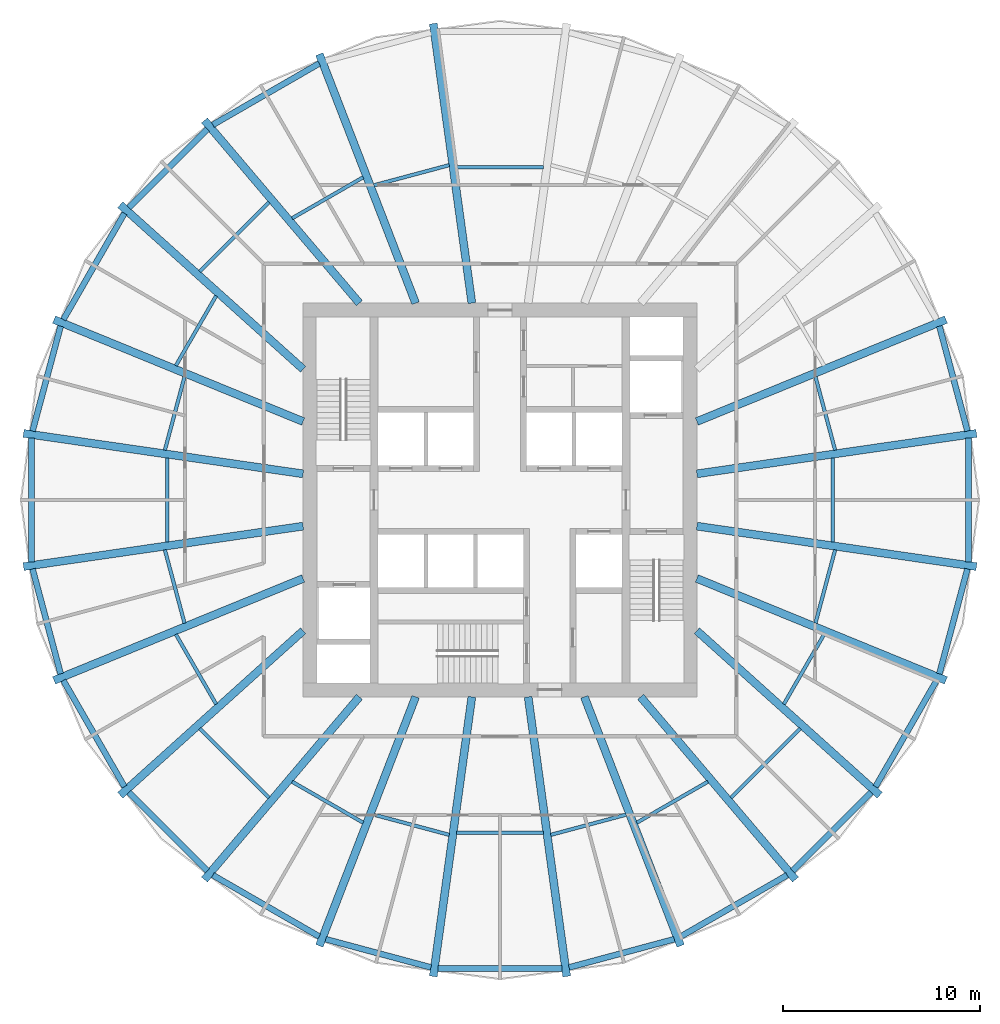
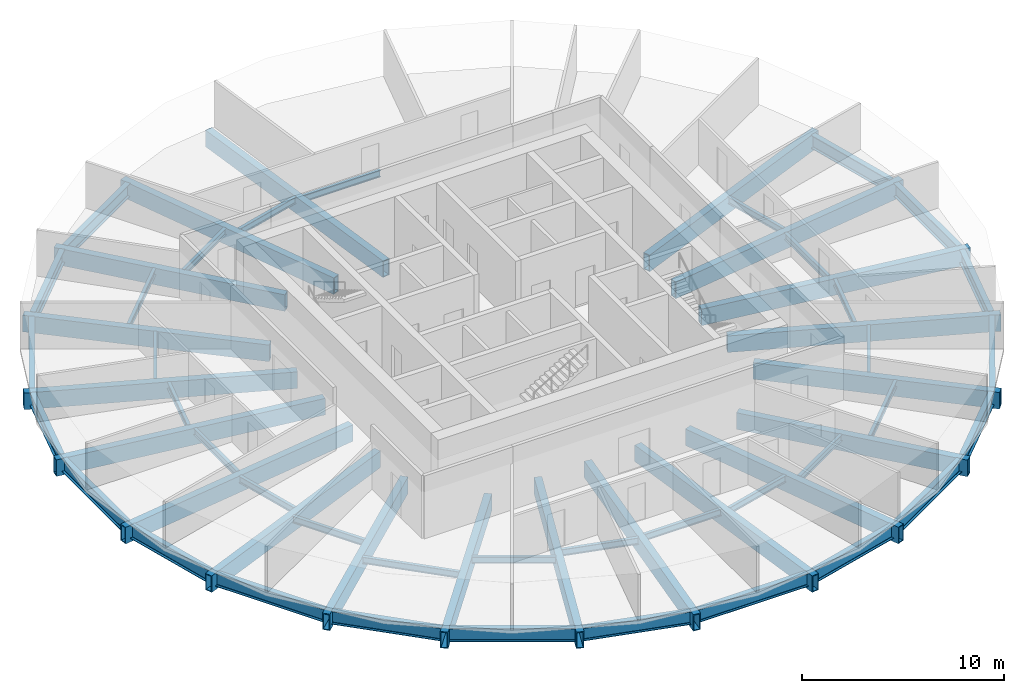
# One storey, part 1 of 6: 58 beams.
"""IFC4 building model written with IfcOpenShell, lengths in metres."""

import ifcopenshell
import ifcopenshell.guid

model = None  # the IFC model being written
_history = None  # IfcOwnerHistory: only IFC2X3 demands one
_inside = {}  # id of a spatial element -> (the spatial element, [elements in it])
_under = {}  # id of a project, library or spatial element -> (it, [spatial elements below it])
_declared = {}  # id of a project -> (the project, [libraries it declares])
_typed = {}  # id of a type object -> (the type object, [elements of that type])
_made_of = {}  # id of a material, layer set ... -> (it, [elements and type objects made of it])


def new_model(schema):
    """Start an empty IFC model of exactly this schema.

    Asked for "IFC4X3", IfcOpenShell would pick the latest addendum, in which some entities
    have other attributes; the version numbers below select the first issue.
    IFC2X3 requires an IfcOwnerHistory on every rooted entity: one is made here for all.
    """
    global model, _history
    if schema == "IFC4X3":
        model = ifcopenshell.file(schema_version=(4, 3, 0, 0))
    else:
        model = ifcopenshell.file(schema=schema)
    _inside.clear()
    _under.clear()
    _declared.clear()
    _typed.clear()
    _made_of.clear()
    _history = None
    if model.schema == "IFC2X3":
        org = make("IfcOrganization", Name="unknown")
        user = make(
            "IfcPersonAndOrganization",
            ThePerson=make("IfcPerson", FamilyName="unknown"),
            TheOrganization=org,
        )
        app = make(
            "IfcApplication",
            ApplicationDeveloper=org,
            Version="unknown",
            ApplicationFullName="unknown",
            ApplicationIdentifier="unknown",
        )
        _history = make(
            "IfcOwnerHistory",
            OwningUser=user,
            OwningApplication=app,
            ChangeAction="ADDED",
            CreationDate=0,
        )
    return model


def make(cls, **values):
    """One entity of the class cls with the attributes given. An attribute that is None is left unset."""
    return model.create_entity(
        cls, **{name: value for name, value in values.items() if value is not None}
    )


def rooted(cls, **values):
    """An entity with a GlobalId (a new one), such as an element, a storey or a relation."""
    return make(cls, GlobalId=ifcopenshell.guid.new(), OwnerHistory=_history, **values)


def si_unit(unit_type, name, prefix=None):
    """IfcSIUnit, for example si_unit("LENGTHUNIT", "METRE", prefix="MILLI")."""
    return make("IfcSIUnit", UnitType=unit_type, Prefix=prefix, Name=name)


def assignment(units):
    """IfcUnitAssignment: the units of a project."""
    return None if units is None else make("IfcUnitAssignment", Units=units)


def point(xyz):
    """IfcCartesianPoint."""
    return None if xyz is None else make("IfcCartesianPoint", Coordinates=xyz)


def direction(xyz):
    """IfcDirection."""
    return None if xyz is None else make("IfcDirection", DirectionRatios=xyz)


def frame(location, z_axis=None, x_axis=None):
    """IfcAxis2Placement3D, a coordinate frame: its origin and axes. An axis left out is left unset."""
    return make(
        "IfcAxis2Placement3D",
        Location=point(location),
        Axis=direction(z_axis),
        RefDirection=direction(x_axis),
    )


def frame_2d(location, x_axis=None):
    """IfcAxis2Placement2D, a coordinate frame in the plane: its origin and x axis."""
    return make(
        "IfcAxis2Placement2D", Location=point(location), RefDirection=direction(x_axis)
    )


def origin():
    """The frame at (0, 0, 0) with its axes left unset."""
    return frame((0.0, 0.0, 0.0))


def origin_2d():
    """The frame at (0, 0) in the plane with its x axis left unset."""
    return frame_2d((0.0, 0.0))


def place(relative_to, where):
    """IfcLocalPlacement: puts the frame where relative to a parent placement (None: the world)."""
    return make(
        "IfcLocalPlacement", PlacementRelTo=relative_to, RelativePlacement=where
    )


def context(
    kind, dimensions, precision=None, world=None, true_north=None, identifier=None
):
    """IfcGeometricRepresentationContext, for example the 3D "Model" context."""
    return make(
        "IfcGeometricRepresentationContext",
        ContextIdentifier=identifier,
        ContextType=kind,
        CoordinateSpaceDimension=dimensions,
        Precision=precision,
        WorldCoordinateSystem=world,
        TrueNorth=true_north,
    )


def subcontext(parent, identifier, kind, view, scale=None):
    """IfcGeometricRepresentationSubContext, for example "Body" below "Model"."""
    return make(
        "IfcGeometricRepresentationSubContext",
        ContextIdentifier=identifier,
        ContextType=kind,
        ParentContext=parent,
        TargetScale=scale,
        TargetView=view,
    )


def project(units=None, contexts=None):
    """IfcProject with its units and contexts."""
    return rooted(
        "IfcProject",
        Name="project",
        RepresentationContexts=contexts,
        UnitsInContext=assignment(units),
    )


def spatial(cls, under=None, at=None, **own):
    """A site, building, storey or space (cls), placed at a placement, below another one or the project."""
    s = rooted(cls, ObjectPlacement=at, **own)
    if under is not None:
        _under.setdefault(under.id(), (under, []))[1].append(s)
    return s


def profile(cls, at=None, kind="AREA", **sizes):
    """A parametric profile (cls). Its sizes go by their IFC names, for example OverallWidth=200.0."""
    return make(cls, ProfileType=kind, Position=at, **sizes)


def hollow_rectangle(**sizes):
    """IfcRectangleHollowProfileDef."""
    return profile("IfcRectangleHollowProfileDef", **sizes)


def i_section(**sizes):
    """IfcIShapeProfileDef."""
    return profile("IfcIShapeProfileDef", **sizes)


def extrude(swept, where, along, depth):
    """IfcExtrudedAreaSolid: the profile swept, set in the frame where, extruded along a direction by depth."""
    return make(
        "IfcExtrudedAreaSolid",
        SweptArea=swept,
        Position=where,
        ExtrudedDirection=direction(along),
        Depth=depth,
    )


def shape(context_of_items, identifier, shape_type, items):
    """IfcShapeRepresentation: the items that make up one representation, for example the "Body"."""
    return make(
        "IfcShapeRepresentation",
        ContextOfItems=context_of_items,
        RepresentationIdentifier=identifier,
        RepresentationType=shape_type,
        Items=items,
    )


def material(Name=None, Category=None):
    """IfcMaterial."""
    return make("IfcMaterial", Name=Name, Category=Category)


def material_profile(
    of_material, cross_section, Name=None, Category=None, Priority=None
):
    """IfcMaterialProfile: a cross section and its material."""
    return make(
        "IfcMaterialProfile",
        Name=Name,
        Material=of_material,
        Profile=cross_section,
        Priority=Priority,
        Category=Category,
    )


def profile_set(profiles, Name=None, composite=None):
    """IfcMaterialProfileSet."""
    return make(
        "IfcMaterialProfileSet",
        Name=Name,
        MaterialProfiles=profiles,
        CompositeProfile=composite,
    )


def made_of(thing, what):
    """Note that an element or type object is made of a material, layer set ...; save() writes the relation."""
    if what is not None:
        _made_of.setdefault(what.id(), (what, []))[1].append(thing)
    return thing


def type_object(cls, material=None, **own):
    """A type object (cls), such as IfcWallType, which elements share."""
    return made_of(rooted(cls, **own), material)


def element(
    cls,
    number,
    at=None,
    inside=None,
    cuts=None,
    type_object=None,
    material=None,
    context=None,
    identifier="Body",
    shape_type=None,
    held_by="IfcProductDefinitionShape",
    body=None,
    shapes=None,
    **own,
):
    """One element of the class cls, such as IfcWall. Its Tag is "e" and its number.

    at: its placement. inside: the storey or other place that contains it. cuts: it is an
    opening in that element (IfcRelVoidsElement). A single representation is given by context,
    identifier, shape_type and body (its items); several are given by shapes. held_by: the class
    of the entity that holds the representations. save() writes the other relations.
    """
    e = rooted(cls, Tag="e%d" % number, ObjectPlacement=at, **own)
    if body is not None:
        shapes = [shape(context, identifier, shape_type, body)]
    if shapes is not None:
        e.Representation = make(held_by, Representations=shapes)
    if inside is not None:
        _inside.setdefault(inside.id(), (inside, []))[1].append(e)
    if cuts is not None:
        rooted(
            "IfcRelVoidsElement", RelatingBuildingElement=cuts, RelatedOpeningElement=e
        )
    if type_object is not None:
        _typed.setdefault(type_object.id(), (type_object, []))[1].append(e)
    return made_of(e, material)


def aggregate(whole, parts):
    """IfcRelAggregates: a whole, such as a stair, and the parts it consists of."""
    return rooted("IfcRelAggregates", RelatingObject=whole, RelatedObjects=parts)


def save(model, path):
    """Write the relations noted so far, then the file.

    IfcRelAggregates (storeys below a building ...), IfcRelContainedInSpatialStructure (elements
    in a storey), IfcRelDefinesByType, IfcRelAssociatesMaterial and IfcRelDeclares: one each for
    every whole, place, type object, material and project.
    """
    for whole, parts in _under.values():
        aggregate(whole, parts)
    for where, things in _inside.values():
        rooted(
            "IfcRelContainedInSpatialStructure",
            RelatedElements=things,
            RelatingStructure=where,
        )
    for kind, things in _typed.values():
        rooted("IfcRelDefinesByType", RelatedObjects=things, RelatingType=kind)
    for what, things in _made_of.values():
        rooted("IfcRelAssociatesMaterial", RelatedObjects=things, RelatingMaterial=what)
    for by, libraries in _declared.values():
        rooted("IfcRelDeclares", RelatingContext=by, RelatedDefinitions=libraries)
    model.write(path)


model = new_model("IFC4")

# Units and contexts
model_context = context("Model", 3, precision=1e-05, world=origin(), true_north=direction((0.0, 1.0)))
body_context = subcontext(model_context, "Body", "Model", "MODEL_VIEW")
ifc_project = project(units=[si_unit("LENGTHUNIT", "METRE"), si_unit("AREAUNIT", "SQUARE_METRE"), si_unit("VOLUMEUNIT", "CUBIC_METRE"), si_unit("PLANEANGLEUNIT", "RADIAN"), si_unit("MASSUNIT", "GRAM", prefix="KILO")], contexts=[model_context])

# Site, building, storey
site_placement = place(None, origin())
site = spatial("IfcSite", under=ifc_project, at=site_placement, CompositionType="ELEMENT")
building_placement = place(site_placement, origin())
building = spatial("IfcBuilding", under=site, at=building_placement, Name="Golbaran Civic Tower", CompositionType="ELEMENT")
storey_placement = place(building_placement, frame((0.0, 0.0, 94.0)))
storey = spatial("IfcBuildingStorey", under=building, at=storey_placement, Name="L22", CompositionType="ELEMENT", Elevation=94.0)

# Beams
ifc_material = material(Name="Steel S355", Category="steel")
ifc_material_profile_1 = material_profile(ifc_material, i_section(OverallWidth=0.300048828125, OverallDepth=0.800048828125, WebThickness=0.017578125, FlangeThickness=0.032958984375, FilletRadius=0.030029296875, at=origin_2d()), Name="HEB 800")
ifc_profile_set_1 = profile_set([ifc_material_profile_1], Name="Steel S355")
beam_type_1 = type_object("IfcBeamType", Name="EDGE BEAM HEB 800", PredefinedType="BEAM", material=ifc_profile_set_1)
beam_1_placement = place(storey_placement, frame((23.74365234375, 3.50048828125, -0.60009765625), z_axis=(-0.258656480593, 0.965969370657, 0.0), x_axis=(-0.965969370657, -0.258656480593, 0.0)))
element("IfcBeam", 1, at=beam_1_placement, inside=storey, type_object=beam_type_1, Name="Edge beam 7.97 L22", PredefinedType="BEAM", context=body_context, shape_type="SweptSolid", body=[
    extrude(i_section(OverallWidth=0.300048828125, OverallDepth=0.800048828125, WebThickness=0.017578125, FlangeThickness=0.032958984375, FilletRadius=0.030029296875, at=origin_2d()), origin(), (0.0, 0.0, 1.0), 5.518798828125),
])
beam_2_placement = place(storey_placement, frame((-9.183837890625, 22.17041015625, -0.60009765625), z_axis=(-0.866316558112, -0.499495366485, 0.0), x_axis=(0.499495366485, -0.866316558112, 0.0)))
element("IfcBeam", 2, at=beam_2_placement, inside=storey, type_object=beam_type_1, Name="Edge beam 112.03 L22", PredefinedType="BEAM", context=body_context, shape_type="SweptSolid", body=[
    extrude(i_section(OverallWidth=0.300048828125, OverallDepth=0.800048828125, WebThickness=0.017578125, FlangeThickness=0.032958984375, FilletRadius=0.030029296875, at=origin_2d()), origin(), (0.0, 0.0, 1.0), 6.236328125),
])
beam_3_placement = place(storey_placement, frame((-14.87255859375, 18.836181640625, -0.60009765625), z_axis=(-0.706651848272, -0.707561421598, 0.0), x_axis=(0.707561421598, -0.706651848272, 0.0)))
element("IfcBeam", 3, at=beam_3_placement, inside=storey, type_object=beam_type_1, Name="Edge beam 127.97 L22", PredefinedType="BEAM", context=body_context, shape_type="SweptSolid", body=[
    extrude(i_section(OverallWidth=0.300048828125, OverallDepth=0.800048828125, WebThickness=0.017578125, FlangeThickness=0.032958984375, FilletRadius=0.030029296875, at=origin_2d()), origin(), (0.0, 0.0, 1.0), 5.63671875),
])
beam_4_placement = place(storey_placement, frame((-19.07470703125, 14.560791015625, -0.60009765625), z_axis=(-0.498594901673, -0.866835119285, 0.0), x_axis=(0.866835119285, -0.498594901673, 0.0)))
element("IfcBeam", 4, at=beam_4_placement, inside=storey, type_object=beam_type_1, Name="Edge beam 142.03 L22", PredefinedType="BEAM", context=body_context, shape_type="SweptSolid", body=[
    extrude(i_section(OverallWidth=0.300048828125, OverallDepth=0.800048828125, WebThickness=0.017578125, FlangeThickness=0.032958984375, FilletRadius=0.030029296875, at=origin_2d()), origin(), (0.0, 0.0, 1.0), 6.2255859375),
])
beam_5_placement = place(storey_placement, frame((-22.316162109375, 8.83154296875, -0.60009765625), z_axis=(-0.258656480593, -0.965969370657, 0.0), x_axis=(0.965969370657, -0.258656480593, 0.0)))
element("IfcBeam", 5, at=beam_5_placement, inside=storey, type_object=beam_type_1, Name="Edge beam 157.97 L22", PredefinedType="BEAM", context=body_context, shape_type="SweptSolid", body=[
    extrude(i_section(OverallWidth=0.300048828125, OverallDepth=0.800048828125, WebThickness=0.017578125, FlangeThickness=0.032958984375, FilletRadius=0.030029296875, at=origin_2d()), origin(), (0.0, 0.0, 1.0), 5.518798828125),
])
beam_6_placement = place(storey_placement, frame((-23.79052734375, 3.1435546875, -0.60009765625), z_axis=(0.0, -1.0, 0.0), x_axis=(1.0, 0.0, 0.0)))
element("IfcBeam", 6, at=beam_6_placement, inside=storey, type_object=beam_type_1, Name="Edge beam 172.03 L22", PredefinedType="BEAM", context=body_context, shape_type="SweptSolid", body=[
    extrude(i_section(OverallWidth=0.300048828125, OverallDepth=0.800048828125, WebThickness=0.017578125, FlangeThickness=0.032958984375, FilletRadius=0.030029296875, at=origin_2d()), origin(), (0.0, 0.0, 1.0), 6.287109375),
])
beam_7_placement = place(storey_placement, frame((-23.74365234375, -3.50048828125, -0.60009765625), z_axis=(0.258656480593, -0.965969370657, 0.0), x_axis=(0.965969370657, 0.258656480593, 0.0)))
element("IfcBeam", 7, at=beam_7_placement, inside=storey, type_object=beam_type_1, Name="Edge beam 187.97 L22", PredefinedType="BEAM", context=body_context, shape_type="SweptSolid", body=[
    extrude(i_section(OverallWidth=0.300048828125, OverallDepth=0.800048828125, WebThickness=0.017578125, FlangeThickness=0.032958984375, FilletRadius=0.030029296875, at=origin_2d()), origin(), (0.0, 0.0, 1.0), 5.518798828125),
])
beam_8_placement = place(storey_placement, frame((-22.1787109375, -9.164306640625, -0.60009765625), z_axis=(0.498594901673, -0.866835119285, 0.0), x_axis=(0.866835119285, 0.498594901673, 0.0)))
element("IfcBeam", 8, at=beam_8_placement, inside=storey, type_object=beam_type_1, Name="Edge beam 202.03 L22", PredefinedType="BEAM", context=body_context, shape_type="SweptSolid", body=[
    extrude(i_section(OverallWidth=0.300048828125, OverallDepth=0.800048828125, WebThickness=0.017578125, FlangeThickness=0.032958984375, FilletRadius=0.030029296875, at=origin_2d()), origin(), (0.0, 0.0, 1.0), 6.2255859375),
])
beam_9_placement = place(storey_placement, frame((-18.855712890625, -14.847900390625, -0.60009765625), z_axis=(0.706651848272, -0.707561421598, 0.0), x_axis=(0.707561421598, 0.706651848272, 0.0)))
element("IfcBeam", 9, at=beam_9_placement, inside=storey, type_object=beam_type_1, Name="Edge beam 217.97 L22", PredefinedType="BEAM", context=body_context, shape_type="SweptSolid", body=[
    extrude(i_section(OverallWidth=0.300048828125, OverallDepth=0.800048828125, WebThickness=0.017578125, FlangeThickness=0.032958984375, FilletRadius=0.030029296875, at=origin_2d()), origin(), (0.0, 0.0, 1.0), 5.63671875),
])
beam_10_placement = place(storey_placement, frame((-14.58642578125, -19.055419921875, -0.60009765625), z_axis=(0.866316558112, -0.499495366485, 0.0), x_axis=(0.499495366485, 0.866316558112, 0.0)))
element("IfcBeam", 10, at=beam_10_placement, inside=storey, type_object=beam_type_1, Name="Edge beam 232.03 L22", PredefinedType="BEAM", context=body_context, shape_type="SweptSolid", body=[
    extrude(i_section(OverallWidth=0.300048828125, OverallDepth=0.800048828125, WebThickness=0.017578125, FlangeThickness=0.032958984375, FilletRadius=0.030029296875, at=origin_2d()), origin(), (0.0, 0.0, 1.0), 6.236328125),
])
beam_11_placement = place(storey_placement, frame((-8.851318359375, -22.308349609375, -0.60009765625), z_axis=(0.965825057317, -0.259194827608, 0.0), x_axis=(0.259194827608, 0.965825057317, 0.0)))
element("IfcBeam", 11, at=beam_11_placement, inside=storey, type_object=beam_type_1, Name="Edge beam 247.97 L22", PredefinedType="BEAM", context=body_context, shape_type="SweptSolid", body=[
    extrude(i_section(OverallWidth=0.300048828125, OverallDepth=0.800048828125, WebThickness=0.017578125, FlangeThickness=0.032958984375, FilletRadius=0.030029296875, at=origin_2d()), origin(), (0.0, 0.0, 1.0), 5.53271484375),
])
beam_12_placement = place(storey_placement, frame((-3.150634765625, -23.78955078125, -0.60009765625), z_axis=(1.0, 0.0, 0.0), x_axis=(0.0, 1.0, 0.0)))
element("IfcBeam", 12, at=beam_12_placement, inside=storey, type_object=beam_type_1, Name="Edge beam 262.03 L22", PredefinedType="BEAM", context=body_context, shape_type="SweptSolid", body=[
    extrude(i_section(OverallWidth=0.300048828125, OverallDepth=0.800048828125, WebThickness=0.017578125, FlangeThickness=0.032958984375, FilletRadius=0.030029296875, at=origin_2d()), origin(), (0.0, 0.0, 1.0), 6.30126953125),
])
beam_13_placement = place(storey_placement, frame((3.507568359375, -23.742431640625, -0.60009765625), z_axis=(0.965825057317, 0.259194827608, 0.0), x_axis=(-0.259194827608, 0.965825057317, 0.0)))
element("IfcBeam", 13, at=beam_13_placement, inside=storey, type_object=beam_type_1, Name="Edge beam 277.97 L22", PredefinedType="BEAM", context=body_context, shape_type="SweptSolid", body=[
    extrude(i_section(OverallWidth=0.300048828125, OverallDepth=0.800048828125, WebThickness=0.017578125, FlangeThickness=0.032958984375, FilletRadius=0.030029296875, at=origin_2d()), origin(), (0.0, 0.0, 1.0), 5.53271484375),
])
beam_14_placement = place(storey_placement, frame((9.183837890625, -22.17041015625, -0.60009765625), z_axis=(0.866316558112, 0.499495366485, 0.0), x_axis=(-0.499495366485, 0.866316558112, 0.0)))
element("IfcBeam", 14, at=beam_14_placement, inside=storey, type_object=beam_type_1, Name="Edge beam 292.03 L22", PredefinedType="BEAM", context=body_context, shape_type="SweptSolid", body=[
    extrude(i_section(OverallWidth=0.300048828125, OverallDepth=0.800048828125, WebThickness=0.017578125, FlangeThickness=0.032958984375, FilletRadius=0.030029296875, at=origin_2d()), origin(), (0.0, 0.0, 1.0), 6.236328125),
])
beam_15_placement = place(storey_placement, frame((14.87255859375, -18.836181640625, -0.60009765625), z_axis=(0.706651848272, 0.707561421598, 0.0), x_axis=(-0.707561421598, 0.706651848272, 0.0)))
element("IfcBeam", 15, at=beam_15_placement, inside=storey, type_object=beam_type_1, Name="Edge beam 307.97 L22", PredefinedType="BEAM", context=body_context, shape_type="SweptSolid", body=[
    extrude(i_section(OverallWidth=0.300048828125, OverallDepth=0.800048828125, WebThickness=0.017578125, FlangeThickness=0.032958984375, FilletRadius=0.030029296875, at=origin_2d()), origin(), (0.0, 0.0, 1.0), 5.63671875),
])
beam_16_placement = place(storey_placement, frame((19.07470703125, -14.560791015625, -0.60009765625), z_axis=(0.498594901673, 0.866835119285, 0.0), x_axis=(-0.866835119285, 0.498594901673, 0.0)))
element("IfcBeam", 16, at=beam_16_placement, inside=storey, type_object=beam_type_1, Name="Edge beam 322.03 L22", PredefinedType="BEAM", context=body_context, shape_type="SweptSolid", body=[
    extrude(i_section(OverallWidth=0.300048828125, OverallDepth=0.800048828125, WebThickness=0.017578125, FlangeThickness=0.032958984375, FilletRadius=0.030029296875, at=origin_2d()), origin(), (0.0, 0.0, 1.0), 6.2255859375),
])
beam_17_placement = place(storey_placement, frame((22.316162109375, -8.83154296875, -0.60009765625), z_axis=(0.258656480593, 0.965969370657, 0.0), x_axis=(-0.965969370657, 0.258656480593, 0.0)))
element("IfcBeam", 17, at=beam_17_placement, inside=storey, type_object=beam_type_1, Name="Edge beam 337.97 L22", PredefinedType="BEAM", context=body_context, shape_type="SweptSolid", body=[
    extrude(i_section(OverallWidth=0.300048828125, OverallDepth=0.800048828125, WebThickness=0.017578125, FlangeThickness=0.032958984375, FilletRadius=0.030029296875, at=origin_2d()), origin(), (0.0, 0.0, 1.0), 5.518798828125),
])
beam_18_placement = place(storey_placement, frame((23.79052734375, -3.1435546875, -0.60009765625), z_axis=(0.0, 1.0, 0.0), x_axis=(-1.0, 0.0, 0.0)))
element("IfcBeam", 18, at=beam_18_placement, inside=storey, type_object=beam_type_1, Name="Edge beam 352.03 L22", PredefinedType="BEAM", context=body_context, shape_type="SweptSolid", body=[
    extrude(i_section(OverallWidth=0.300048828125, OverallDepth=0.800048828125, WebThickness=0.017578125, FlangeThickness=0.032958984375, FilletRadius=0.030029296875, at=origin_2d()), origin(), (0.0, 0.0, 1.0), 6.287109375),
])
ifc_material_profile_2 = material_profile(ifc_material, i_section(OverallWidth=0.179931640625, OverallDepth=0.39990234375, WebThickness=0.008544921875, FlangeThickness=0.013427734375, FilletRadius=0.02099609375, at=origin_2d()), Name="IPE 400")
ifc_profile_set_2 = profile_set([ifc_material_profile_2], Name="Steel S355")
beam_type_2 = type_object("IfcBeamType", Name="FLOOR INFILL BEAM IPE 400", PredefinedType="BEAM", material=ifc_profile_set_2)
beam_19_placement = place(storey_placement, frame((17.022705078125, 2.52734375, -0.39990234375), z_axis=(-0.258780340168, 0.965936196414, 0.0), x_axis=(-0.965936196414, -0.258780340168, 0.0)))
element("IfcBeam", 19, at=beam_19_placement, inside=storey, type_object=beam_type_2, Name="Infill beam 15.00 L22", PredefinedType="BEAM", context=body_context, shape_type="SweptSolid", body=[
    extrude(i_section(OverallWidth=0.179931640625, OverallDepth=0.39990234375, WebThickness=0.008544921875, FlangeThickness=0.013427734375, FilletRadius=0.02099609375, at=origin_2d()), origin(), (0.0, 0.0, 1.0), 3.860595703125),
])
beam_20_placement = place(storey_placement, frame((2.19873046875, 16.894775390625, -0.39990234375), z_axis=(-1.0, 0.0, 0.0), x_axis=(0.0, -1.0, 0.0)))
element("IfcBeam", 20, at=beam_20_placement, inside=storey, type_object=beam_type_2, Name="Infill beam 90.00 L22", PredefinedType="BEAM", context=body_context, shape_type="SweptSolid", body=[
    extrude(i_section(OverallWidth=0.179931640625, OverallDepth=0.39990234375, WebThickness=0.008544921875, FlangeThickness=0.013427734375, FilletRadius=0.02099609375, at=origin_2d()), origin(), (0.0, 0.0, 1.0), 4.3974609375),
])
beam_21_placement = place(storey_placement, frame((-2.577880859375, 17.0087890625, -0.39990234375), z_axis=(-0.965928527499, -0.258808963839, 0.0), x_axis=(0.258808963839, -0.965928527499, 0.0)))
element("IfcBeam", 21, at=beam_21_placement, inside=storey, type_object=beam_type_2, Name="Infill beam 105.00 L22", PredefinedType="BEAM", context=body_context, shape_type="SweptSolid", body=[
    extrude(i_section(OverallWidth=0.179931640625, OverallDepth=0.39990234375, WebThickness=0.008544921875, FlangeThickness=0.013427734375, FilletRadius=0.02099609375, at=origin_2d()), origin(), (0.0, 0.0, 1.0), 3.962890625),
])
beam_22_placement = place(storey_placement, frame((-6.94970703125, 16.3916015625, -0.39990234375), z_axis=(-0.866032464785, -0.499987769789, 0.0), x_axis=(0.499987769789, -0.866032464785, 0.0)))
element("IfcBeam", 22, at=beam_22_placement, inside=storey, type_object=beam_type_2, Name="Infill beam 120.00 L22", PredefinedType="BEAM", context=body_context, shape_type="SweptSolid", body=[
    extrude(i_section(OverallWidth=0.179931640625, OverallDepth=0.39990234375, WebThickness=0.008544921875, FlangeThickness=0.013427734375, FilletRadius=0.02099609375, at=origin_2d()), origin(), (0.0, 0.0, 1.0), 4.16845703125),
])
beam_23_placement = place(storey_placement, frame((-11.7265625, 15.12646484375, -0.39990234375), z_axis=(-0.707106781187, -0.707106781187, 0.0), x_axis=(0.707106781187, -0.707106781187, 0.0)))
element("IfcBeam", 23, at=beam_23_placement, inside=storey, type_object=beam_type_2, Name="Infill beam 135.00 L22", PredefinedType="BEAM", context=body_context, shape_type="SweptSolid", body=[
    extrude(i_section(OverallWidth=0.179931640625, OverallDepth=0.39990234375, WebThickness=0.008544921875, FlangeThickness=0.013427734375, FilletRadius=0.02099609375, at=origin_2d()), origin(), (0.0, 0.0, 1.0), 4.980712890625),
])
beam_24_placement = place(storey_placement, frame((-14.416259765625, 10.371826171875, -0.39990234375), z_axis=(-0.500018332044, -0.866014819515, 0.0), x_axis=(0.866014819515, -0.500018332044, 0.0)))
element("IfcBeam", 24, at=beam_24_placement, inside=storey, type_object=beam_type_2, Name="Infill beam 150.00 L22", PredefinedType="BEAM", context=body_context, shape_type="SweptSolid", body=[
    extrude(i_section(OverallWidth=0.179931640625, OverallDepth=0.39990234375, WebThickness=0.008544921875, FlangeThickness=0.013427734375, FilletRadius=0.02099609375, at=origin_2d()), origin(), (0.0, 0.0, 1.0), 4.094970703125),
])
beam_25_placement = place(storey_placement, frame((-16.023681640625, 6.25634765625, -0.39990234375), z_axis=(-0.258780340168, -0.965936196414, 0.0), x_axis=(0.965936196414, -0.258780340168, 0.0)))
element("IfcBeam", 25, at=beam_25_placement, inside=storey, type_object=beam_type_2, Name="Infill beam 165.00 L22", PredefinedType="BEAM", context=body_context, shape_type="SweptSolid", body=[
    extrude(i_section(OverallWidth=0.179931640625, OverallDepth=0.39990234375, WebThickness=0.008544921875, FlangeThickness=0.013427734375, FilletRadius=0.02099609375, at=origin_2d()), origin(), (0.0, 0.0, 1.0), 3.860595703125),
])
beam_26_placement = place(storey_placement, frame((-16.895263671875, 2.14501953125, -0.39990234375), z_axis=(0.0, -1.0, 0.0), x_axis=(1.0, 0.0, 0.0)))
element("IfcBeam", 26, at=beam_26_placement, inside=storey, type_object=beam_type_2, Name="Infill beam 180.00 L22", PredefinedType="BEAM", context=body_context, shape_type="SweptSolid", body=[
    extrude(i_section(OverallWidth=0.179931640625, OverallDepth=0.39990234375, WebThickness=0.008544921875, FlangeThickness=0.013427734375, FilletRadius=0.02099609375, at=origin_2d()), origin(), (0.0, 0.0, 1.0), 4.2900390625),
])
beam_27_placement = place(storey_placement, frame((-17.022705078125, -2.52734375, -0.39990234375), z_axis=(0.258780340168, -0.965936196414, 0.0), x_axis=(0.965936196414, 0.258780340168, 0.0)))
element("IfcBeam", 27, at=beam_27_placement, inside=storey, type_object=beam_type_2, Name="Infill beam 195.00 L22", PredefinedType="BEAM", context=body_context, shape_type="SweptSolid", body=[
    extrude(i_section(OverallWidth=0.179931640625, OverallDepth=0.39990234375, WebThickness=0.008544921875, FlangeThickness=0.013427734375, FilletRadius=0.02099609375, at=origin_2d()), origin(), (0.0, 0.0, 1.0), 3.860595703125),
])
beam_28_placement = place(storey_placement, frame((-16.4638671875, -6.825439453125, -0.39990234375), z_axis=(0.500018332044, -0.866014819515, 0.0), x_axis=(0.866014819515, 0.500018332044, 0.0)))
element("IfcBeam", 28, at=beam_28_placement, inside=storey, type_object=beam_type_2, Name="Infill beam 210.00 L22", PredefinedType="BEAM", context=body_context, shape_type="SweptSolid", body=[
    extrude(i_section(OverallWidth=0.179931640625, OverallDepth=0.39990234375, WebThickness=0.008544921875, FlangeThickness=0.013427734375, FilletRadius=0.02099609375, at=origin_2d()), origin(), (0.0, 0.0, 1.0), 4.094970703125),
])
beam_29_placement = place(storey_placement, frame((-15.24853515625, -11.6044921875, -0.39990234375), z_axis=(0.707106781187, -0.707106781187, 0.0), x_axis=(0.707106781187, 0.707106781187, 0.0)))
element("IfcBeam", 29, at=beam_29_placement, inside=storey, type_object=beam_type_2, Name="Infill beam 225.00 L22", PredefinedType="BEAM", context=body_context, shape_type="SweptSolid", body=[
    extrude(i_section(OverallWidth=0.179931640625, OverallDepth=0.39990234375, WebThickness=0.008544921875, FlangeThickness=0.013427734375, FilletRadius=0.02099609375, at=origin_2d()), origin(), (0.0, 0.0, 1.0), 4.980712890625),
])
beam_30_placement = place(storey_placement, frame((-10.559814453125, -14.307373046875, -0.39990234375), z_axis=(0.866032464785, -0.499987769789, 0.0), x_axis=(0.499987769789, 0.866032464785, 0.0)))
element("IfcBeam", 30, at=beam_30_placement, inside=storey, type_object=beam_type_2, Name="Infill beam 240.00 L22", PredefinedType="BEAM", context=body_context, shape_type="SweptSolid", body=[
    extrude(i_section(OverallWidth=0.179931640625, OverallDepth=0.39990234375, WebThickness=0.008544921875, FlangeThickness=0.013427734375, FilletRadius=0.02099609375, at=origin_2d()), origin(), (0.0, 0.0, 1.0), 4.16845703125),
])
beam_31_placement = place(storey_placement, frame((-6.40576171875, -15.983154296875, -0.39990234375), z_axis=(0.965928527499, -0.258808963839, 0.0), x_axis=(0.258808963839, 0.965928527499, 0.0)))
element("IfcBeam", 31, at=beam_31_placement, inside=storey, type_object=beam_type_2, Name="Infill beam 255.00 L22", PredefinedType="BEAM", context=body_context, shape_type="SweptSolid", body=[
    extrude(i_section(OverallWidth=0.179931640625, OverallDepth=0.39990234375, WebThickness=0.008544921875, FlangeThickness=0.013427734375, FilletRadius=0.02099609375, at=origin_2d()), origin(), (0.0, 0.0, 1.0), 3.962890625),
])
beam_32_placement = place(storey_placement, frame((-2.19873046875, -16.894775390625, -0.39990234375), z_axis=(1.0, 0.0, 0.0), x_axis=(0.0, 1.0, 0.0)))
element("IfcBeam", 32, at=beam_32_placement, inside=storey, type_object=beam_type_2, Name="Infill beam 270.00 L22", PredefinedType="BEAM", context=body_context, shape_type="SweptSolid", body=[
    extrude(i_section(OverallWidth=0.179931640625, OverallDepth=0.39990234375, WebThickness=0.008544921875, FlangeThickness=0.013427734375, FilletRadius=0.02099609375, at=origin_2d()), origin(), (0.0, 0.0, 1.0), 4.3974609375),
])
beam_33_placement = place(storey_placement, frame((2.577880859375, -17.0087890625, -0.39990234375), z_axis=(0.965928527499, 0.258808963839, 0.0), x_axis=(-0.258808963839, 0.965928527499, 0.0)))
element("IfcBeam", 33, at=beam_33_placement, inside=storey, type_object=beam_type_2, Name="Infill beam 285.00 L22", PredefinedType="BEAM", context=body_context, shape_type="SweptSolid", body=[
    extrude(i_section(OverallWidth=0.179931640625, OverallDepth=0.39990234375, WebThickness=0.008544921875, FlangeThickness=0.013427734375, FilletRadius=0.02099609375, at=origin_2d()), origin(), (0.0, 0.0, 1.0), 3.962890625),
])
beam_34_placement = place(storey_placement, frame((6.94970703125, -16.3916015625, -0.39990234375), z_axis=(0.866032464785, 0.499987769789, 0.0), x_axis=(-0.499987769789, 0.866032464785, 0.0)))
element("IfcBeam", 34, at=beam_34_placement, inside=storey, type_object=beam_type_2, Name="Infill beam 300.00 L22", PredefinedType="BEAM", context=body_context, shape_type="SweptSolid", body=[
    extrude(i_section(OverallWidth=0.179931640625, OverallDepth=0.39990234375, WebThickness=0.008544921875, FlangeThickness=0.013427734375, FilletRadius=0.02099609375, at=origin_2d()), origin(), (0.0, 0.0, 1.0), 4.16845703125),
])
beam_35_placement = place(storey_placement, frame((11.7265625, -15.12646484375, -0.39990234375), z_axis=(0.707106781187, 0.707106781187, 0.0), x_axis=(-0.707106781187, 0.707106781187, 0.0)))
element("IfcBeam", 35, at=beam_35_placement, inside=storey, type_object=beam_type_2, Name="Infill beam 315.00 L22", PredefinedType="BEAM", context=body_context, shape_type="SweptSolid", body=[
    extrude(i_section(OverallWidth=0.179931640625, OverallDepth=0.39990234375, WebThickness=0.008544921875, FlangeThickness=0.013427734375, FilletRadius=0.02099609375, at=origin_2d()), origin(), (0.0, 0.0, 1.0), 4.980712890625),
])
beam_36_placement = place(storey_placement, frame((14.416259765625, -10.371826171875, -0.39990234375), z_axis=(0.500018332044, 0.866014819515, 0.0), x_axis=(-0.866014819515, 0.500018332044, 0.0)))
element("IfcBeam", 36, at=beam_36_placement, inside=storey, type_object=beam_type_2, Name="Infill beam 330.00 L22", PredefinedType="BEAM", context=body_context, shape_type="SweptSolid", body=[
    extrude(i_section(OverallWidth=0.179931640625, OverallDepth=0.39990234375, WebThickness=0.008544921875, FlangeThickness=0.013427734375, FilletRadius=0.02099609375, at=origin_2d()), origin(), (0.0, 0.0, 1.0), 4.094970703125),
])
beam_37_placement = place(storey_placement, frame((16.023681640625, -6.25634765625, -0.39990234375), z_axis=(0.258780340168, 0.965936196414, 0.0), x_axis=(-0.965936196414, 0.258780340168, 0.0)))
element("IfcBeam", 37, at=beam_37_placement, inside=storey, type_object=beam_type_2, Name="Infill beam 345.00 L22", PredefinedType="BEAM", context=body_context, shape_type="SweptSolid", body=[
    extrude(i_section(OverallWidth=0.179931640625, OverallDepth=0.39990234375, WebThickness=0.008544921875, FlangeThickness=0.013427734375, FilletRadius=0.02099609375, at=origin_2d()), origin(), (0.0, 0.0, 1.0), 3.860595703125),
])
beam_38_placement = place(storey_placement, frame((16.895263671875, -2.14501953125, -0.39990234375), z_axis=(0.0, 1.0, 0.0), x_axis=(-1.0, 0.0, 0.0)))
element("IfcBeam", 38, at=beam_38_placement, inside=storey, type_object=beam_type_2, Name="Infill beam 0.00 L22", PredefinedType="BEAM", context=body_context, shape_type="SweptSolid", body=[
    extrude(i_section(OverallWidth=0.179931640625, OverallDepth=0.39990234375, WebThickness=0.008544921875, FlangeThickness=0.013427734375, FilletRadius=0.02099609375, at=origin_2d()), origin(), (0.0, 0.0, 1.0), 4.2900390625),
])
ifc_material_profile_3 = material_profile(ifc_material, hollow_rectangle(XDim=0.39990234375, YDim=1.0, WallThickness=0.050048828125, at=origin_2d()), Name="BOX 1000x400x50")
ifc_profile_set_3 = profile_set([ifc_material_profile_3], Name="Steel S355")
beam_type_3 = type_object("IfcBeamType", Name="RADIAL FLOOR BEAM BOX 1000x400x50", PredefinedType="BEAM", material=ifc_profile_set_3)
beam_39_placement = place(storey_placement, frame((10.0, 1.32861328125, -0.7099609375), z_axis=(0.98968022786, 0.143293567834, 0.0), x_axis=(-0.143293567834, 0.98968022786, 0.0)))
element("IfcBeam", 39, at=beam_39_placement, inside=storey, type_object=beam_type_3, Name="Radial beam 7.97 L22", PredefinedType="BEAM", context=body_context, shape_type="SweptSolid", body=[
    extrude(hollow_rectangle(XDim=0.39990234375, YDim=1.0, WallThickness=0.050048828125, at=origin_2d()), origin(), (0.0, 0.0, 1.0), 14.347412109375),
])
beam_40_placement = place(storey_placement, frame((10.0, 3.985595703125, -0.7099609375), z_axis=(0.925496310157, 0.378756623554, 0.0), x_axis=(-0.378756623554, 0.925496310157, 0.0)))
element("IfcBeam", 40, at=beam_40_placement, inside=storey, type_object=beam_type_3, Name="Radial beam 22.03 L22", PredefinedType="BEAM", context=body_context, shape_type="SweptSolid", body=[
    extrude(hollow_rectangle(XDim=0.39990234375, YDim=1.0, WallThickness=0.050048828125, at=origin_2d()), origin(), (0.0, 0.0, 1.0), 13.67041015625),
])
beam_41_placement = place(storey_placement, frame((-1.428466796875, 10.0, -0.7099609375), z_axis=(-0.136772265924, 0.990602517296, 0.0), x_axis=(-0.990602517296, -0.136772265924, 0.0)))
element("IfcBeam", 41, at=beam_41_placement, inside=storey, type_object=beam_type_3, Name="Radial beam 97.97 L22", PredefinedType="BEAM", context=body_context, shape_type="SweptSolid", body=[
    extrude(hollow_rectangle(XDim=0.39990234375, YDim=1.0, WallThickness=0.050048828125, at=origin_2d()), origin(), (0.0, 0.0, 1.0), 14.333740234375),
])
beam_42_placement = place(storey_placement, frame((-4.28564453125, 10.0, -0.7099609375), z_axis=(-0.360602586713, 0.932719558311, 0.0), x_axis=(-0.932719558311, -0.360602586713, 0.0)))
element("IfcBeam", 42, at=beam_42_placement, inside=storey, type_object=beam_type_3, Name="Radial beam 112.03 L22", PredefinedType="BEAM", context=body_context, shape_type="SweptSolid", body=[
    extrude(hollow_rectangle(XDim=0.39990234375, YDim=1.0, WallThickness=0.050048828125, at=origin_2d()), origin(), (0.0, 0.0, 1.0), 13.55908203125),
])
beam_43_placement = place(storey_placement, frame((-7.142822265625, 10.0, -0.7099609375), z_axis=(-0.646784737772, 0.762672605372, 0.0), x_axis=(-0.762672605372, -0.646784737772, 0.0)))
element("IfcBeam", 43, at=beam_43_placement, inside=storey, type_object=beam_type_3, Name="Radial beam 127.97 L22", PredefinedType="BEAM", context=body_context, shape_type="SweptSolid", body=[
    extrude(hollow_rectangle(XDim=0.39990234375, YDim=1.0, WallThickness=0.050048828125, at=origin_2d()), origin(), (0.0, 0.0, 1.0), 12.166259765625),
])
beam_44_placement = place(storey_placement, frame((-10.0, 6.642822265625, -0.7099609375), z_axis=(-0.743593348395, 0.668632135201, 0.0), x_axis=(-0.668632135201, -0.743593348395, 0.0)))
element("IfcBeam", 44, at=beam_44_placement, inside=storey, type_object=beam_type_3, Name="Radial beam 142.03 L22", PredefinedType="BEAM", context=body_context, shape_type="SweptSolid", body=[
    extrude(hollow_rectangle(XDim=0.39990234375, YDim=1.0, WallThickness=0.050048828125, at=origin_2d()), origin(), (0.0, 0.0, 1.0), 12.493408203125),
])
beam_45_placement = place(storey_placement, frame((-10.0, 3.985595703125, -0.7099609375), z_axis=(-0.925496310157, 0.378756623554, 0.0), x_axis=(-0.378756623554, -0.925496310157, 0.0)))
element("IfcBeam", 45, at=beam_45_placement, inside=storey, type_object=beam_type_3, Name="Radial beam 157.97 L22", PredefinedType="BEAM", context=body_context, shape_type="SweptSolid", body=[
    extrude(hollow_rectangle(XDim=0.39990234375, YDim=1.0, WallThickness=0.050048828125, at=origin_2d()), origin(), (0.0, 0.0, 1.0), 13.67041015625),
])
for number, where, z_axis, x_axis, name in (
    (46, (-10.0, 1.32861328125, -0.7099609375), (-0.98968022786, 0.143293567834, 0.0), (-0.143293567834, -0.98968022786, 0.0), "Radial beam 172.03 L22"),
    (47, (-10.0, -1.32861328125, -0.7099609375), (-0.98968022786, -0.143293567834, 0.0), (0.143293567834, -0.98968022786, 0.0), "Radial beam 187.97 L22"),
):
    element("IfcBeam", number, at=place(storey_placement, frame(where, z_axis=z_axis, x_axis=x_axis)), inside=storey, type_object=beam_type_3, Name=name, PredefinedType="BEAM", context=body_context, shape_type="SweptSolid", body=[
        extrude(hollow_rectangle(XDim=0.39990234375, YDim=1.0, WallThickness=0.050048828125, at=origin_2d()), origin(), (0.0, 0.0, 1.0), 14.347412109375),
    ])
beam_46_placement = place(storey_placement, frame((-10.0, -3.985595703125, -0.7099609375), z_axis=(-0.925496310157, -0.378756623554, 0.0), x_axis=(0.378756623554, -0.925496310157, 0.0)))
element("IfcBeam", 48, at=beam_46_placement, inside=storey, type_object=beam_type_3, Name="Radial beam 202.03 L22", PredefinedType="BEAM", context=body_context, shape_type="SweptSolid", body=[
    extrude(hollow_rectangle(XDim=0.39990234375, YDim=1.0, WallThickness=0.050048828125, at=origin_2d()), origin(), (0.0, 0.0, 1.0), 13.67041015625),
])
beam_47_placement = place(storey_placement, frame((-10.0, -6.642822265625, -0.7099609375), z_axis=(-0.743593348395, -0.668632135201, 0.0), x_axis=(0.668632135201, -0.743593348395, 0.0)))
element("IfcBeam", 49, at=beam_47_placement, inside=storey, type_object=beam_type_3, Name="Radial beam 217.97 L22", PredefinedType="BEAM", context=body_context, shape_type="SweptSolid", body=[
    extrude(hollow_rectangle(XDim=0.39990234375, YDim=1.0, WallThickness=0.050048828125, at=origin_2d()), origin(), (0.0, 0.0, 1.0), 12.493408203125),
])
beam_48_placement = place(storey_placement, frame((-7.142822265625, -10.0, -0.7099609375), z_axis=(-0.646784737772, -0.762672605372, 0.0), x_axis=(0.762672605372, -0.646784737772, 0.0)))
element("IfcBeam", 50, at=beam_48_placement, inside=storey, type_object=beam_type_3, Name="Radial beam 232.03 L22", PredefinedType="BEAM", context=body_context, shape_type="SweptSolid", body=[
    extrude(hollow_rectangle(XDim=0.39990234375, YDim=1.0, WallThickness=0.050048828125, at=origin_2d()), origin(), (0.0, 0.0, 1.0), 12.166259765625),
])
beam_49_placement = place(storey_placement, frame((-4.28564453125, -10.0, -0.7099609375), z_axis=(-0.360602586713, -0.932719558311, 0.0), x_axis=(0.932719558311, -0.360602586713, 0.0)))
element("IfcBeam", 51, at=beam_49_placement, inside=storey, type_object=beam_type_3, Name="Radial beam 247.97 L22", PredefinedType="BEAM", context=body_context, shape_type="SweptSolid", body=[
    extrude(hollow_rectangle(XDim=0.39990234375, YDim=1.0, WallThickness=0.050048828125, at=origin_2d()), origin(), (0.0, 0.0, 1.0), 13.55908203125),
])
for number, where, z_axis, x_axis, name in (
    (52, (-1.428466796875, -10.0, -0.7099609375), (-0.136772265924, -0.990602517296, 0.0), (0.990602517296, -0.136772265924, 0.0), "Radial beam 262.03 L22"),
    (53, (1.428466796875, -10.0, -0.7099609375), (0.136772265924, -0.990602517296, 0.0), (0.990602517296, 0.136772265924, 0.0), "Radial beam 277.97 L22"),
):
    element("IfcBeam", number, at=place(storey_placement, frame(where, z_axis=z_axis, x_axis=x_axis)), inside=storey, type_object=beam_type_3, Name=name, PredefinedType="BEAM", context=body_context, shape_type="SweptSolid", body=[
        extrude(hollow_rectangle(XDim=0.39990234375, YDim=1.0, WallThickness=0.050048828125, at=origin_2d()), origin(), (0.0, 0.0, 1.0), 14.333740234375),
    ])
beam_50_placement = place(storey_placement, frame((4.28564453125, -10.0, -0.7099609375), z_axis=(0.360602586713, -0.932719558311, 0.0), x_axis=(0.932719558311, 0.360602586713, 0.0)))
element("IfcBeam", 54, at=beam_50_placement, inside=storey, type_object=beam_type_3, Name="Radial beam 292.03 L22", PredefinedType="BEAM", context=body_context, shape_type="SweptSolid", body=[
    extrude(hollow_rectangle(XDim=0.39990234375, YDim=1.0, WallThickness=0.050048828125, at=origin_2d()), origin(), (0.0, 0.0, 1.0), 13.55908203125),
])
beam_51_placement = place(storey_placement, frame((7.142822265625, -10.0, -0.7099609375), z_axis=(0.646784737772, -0.762672605372, 0.0), x_axis=(0.762672605372, 0.646784737772, 0.0)))
element("IfcBeam", 55, at=beam_51_placement, inside=storey, type_object=beam_type_3, Name="Radial beam 307.97 L22", PredefinedType="BEAM", context=body_context, shape_type="SweptSolid", body=[
    extrude(hollow_rectangle(XDim=0.39990234375, YDim=1.0, WallThickness=0.050048828125, at=origin_2d()), origin(), (0.0, 0.0, 1.0), 12.166259765625),
])
beam_52_placement = place(storey_placement, frame((10.0, -6.642822265625, -0.7099609375), z_axis=(0.743593348395, -0.668632135201, 0.0), x_axis=(0.668632135201, 0.743593348395, 0.0)))
element("IfcBeam", 56, at=beam_52_placement, inside=storey, type_object=beam_type_3, Name="Radial beam 322.03 L22", PredefinedType="BEAM", context=body_context, shape_type="SweptSolid", body=[
    extrude(hollow_rectangle(XDim=0.39990234375, YDim=1.0, WallThickness=0.050048828125, at=origin_2d()), origin(), (0.0, 0.0, 1.0), 12.493408203125),
])
beam_53_placement = place(storey_placement, frame((10.0, -3.985595703125, -0.7099609375), z_axis=(0.925496310157, -0.378756623554, 0.0), x_axis=(0.378756623554, 0.925496310157, 0.0)))
element("IfcBeam", 57, at=beam_53_placement, inside=storey, type_object=beam_type_3, Name="Radial beam 337.97 L22", PredefinedType="BEAM", context=body_context, shape_type="SweptSolid", body=[
    extrude(hollow_rectangle(XDim=0.39990234375, YDim=1.0, WallThickness=0.050048828125, at=origin_2d()), origin(), (0.0, 0.0, 1.0), 13.67041015625),
])
beam_54_placement = place(storey_placement, frame((10.0, -1.32861328125, -0.7099609375), z_axis=(0.98968022786, -0.143293567834, 0.0), x_axis=(0.143293567834, 0.98968022786, 0.0)))
element("IfcBeam", 58, at=beam_54_placement, inside=storey, type_object=beam_type_3, Name="Radial beam 352.03 L22", PredefinedType="BEAM", context=body_context, shape_type="SweptSolid", body=[
    extrude(hollow_rectangle(XDim=0.39990234375, YDim=1.0, WallThickness=0.050048828125, at=origin_2d()), origin(), (0.0, 0.0, 1.0), 14.347412109375),
])

save(model, "model.ifc")
